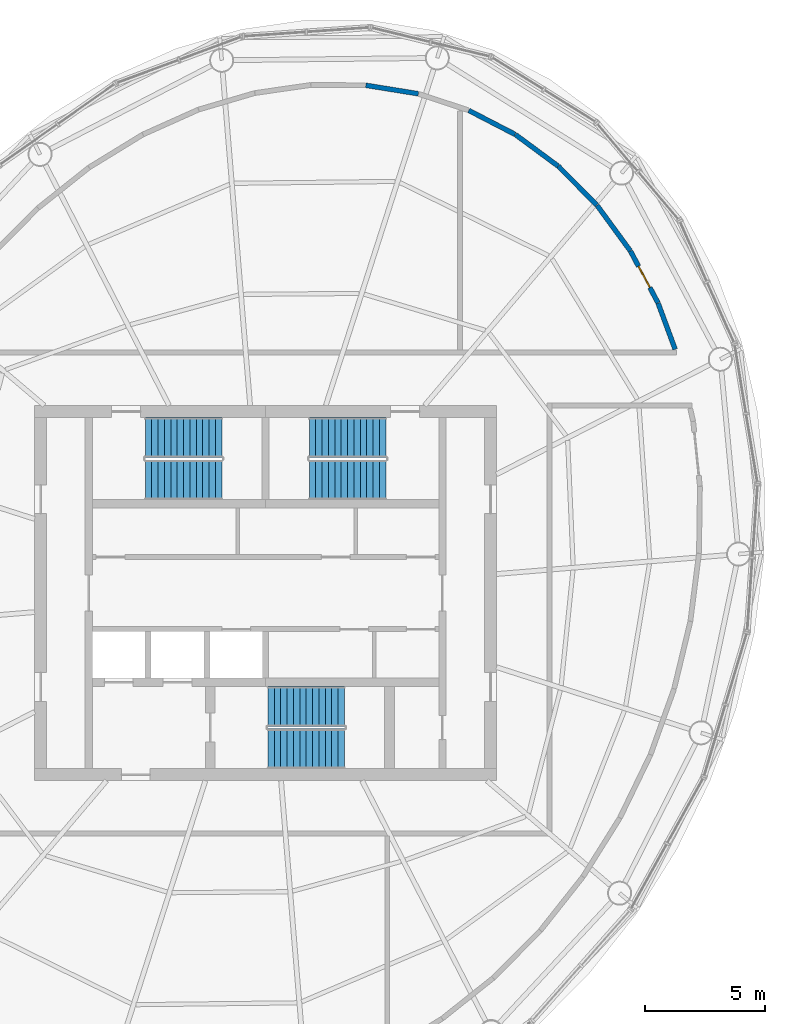
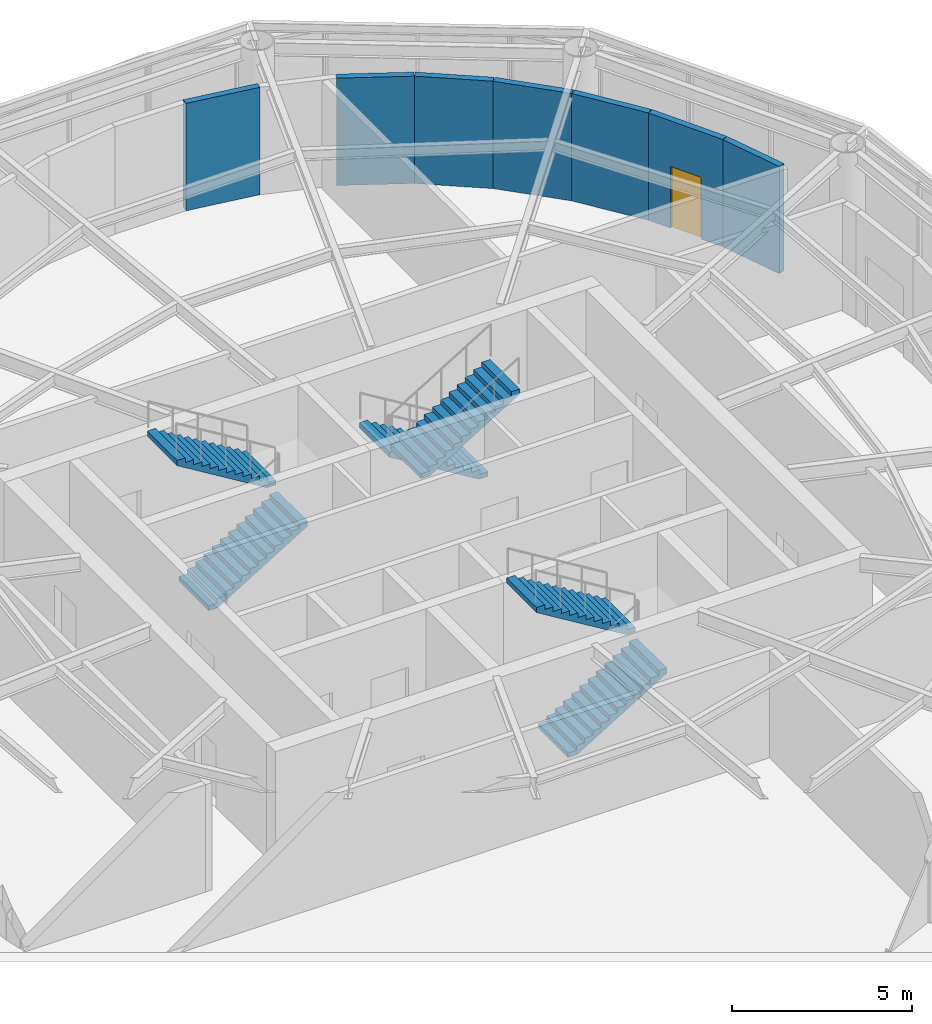
# One storey, part 10 of 11: 7 walls, 6 stair flights, 1 door, 1 opening, 3 elements without a shape of their own.
"""IFC4 building model written with IfcOpenShell, lengths in metres."""

from ifc_helpers import new_model, si_unit, direction, frame, frame_2d, origin, place, context, subcontext, project, spatial, polyline, rectangle, outline, extrude, material, layer, layer_set, type_object, element, fill, aggregate, save


model = new_model("IFC4")

# Units and contexts
model_context = context("Model", 3, precision=1e-05, world=origin(), true_north=direction((0.0, 1.0)))
body_context = subcontext(model_context, "Body", "Model", "MODEL_VIEW")
ifc_project = project(units=[si_unit("LENGTHUNIT", "METRE"), si_unit("AREAUNIT", "SQUARE_METRE"), si_unit("VOLUMEUNIT", "CUBIC_METRE"), si_unit("PLANEANGLEUNIT", "RADIAN"), si_unit("MASSUNIT", "GRAM", prefix="KILO")], contexts=[model_context])

# Site, building, storey
site_placement = place(None, origin())
site = spatial("IfcSite", under=ifc_project, at=site_placement, CompositionType="ELEMENT")
building_placement = place(site_placement, origin())
building = spatial("IfcBuilding", under=site, at=building_placement, Name="Vermilion Reach Broadcast Tower", CompositionType="ELEMENT")
storey_placement = place(building_placement, frame((0.0, 0.0, 317.10009765625)))
storey = spatial("IfcBuildingStorey", under=building, at=storey_placement, Name="L79 CROWN", CompositionType="ELEMENT", Elevation=317.10009765625)

# Wall
ifc_material_1 = material(Name="Gypsum board shaft wall")
ifc_layer = layer(ifc_material_1, 0.199951171875)
ifc_layer_set = layer_set([ifc_layer], Name="Plant room wall 200")
wall_type = type_object("IfcWallType", Name="Plant room wall 200", PredefinedType="PARTITIONING", material=ifc_layer_set)
wall_1_placement = place(storey_placement, frame((7.780029296875, 16.11865234375, 0.0), z_axis=(0.0, 0.0, 1.0), x_axis=(0.590082027637, -0.807343297897, 0.0)))
element("IfcWall", 1, at=wall_1_placement, inside=storey, type_object=wall_type, Name="sp.wall.L79 CROWN.007", PredefinedType="PARTITIONING", context=body_context, shape_type="SweptSolid", body=[
    extrude(rectangle(XDim=2.33837890625, YDim=0.199951171875, at=frame_2d((1.169189453125, 0.0))), origin(), (0.0, 0.0, 1.0), 3.64990234375),
])

# Wall, opening, door
wall_2_placement = place(storey_placement, frame((10.31396484375, 12.065185546875, 0.0), z_axis=(0.0, 0.0, 1.0), x_axis=(-0.469606334902, 0.882875920059, 0.0)))
wall_2 = element("IfcWall", 2, at=wall_2_placement, inside=storey, type_object=wall_type, Name="sp.wall.L79 CROWN.008", PredefinedType="PARTITIONING", context=body_context, shape_type="SweptSolid", body=[
    extrude(rectangle(XDim=2.439697265625, YDim=0.199951171875, at=frame_2d((1.2197265625, 0.0))), origin(), (0.0, 0.0, 1.0), 3.64990234375),
])
opening_placement = place(wall_2_placement, frame((0.719970703125, 0.0, 0.0)))
opening = element("IfcOpeningElement", 3, at=opening_placement, cuts=wall_2, Name="Opening D54", PredefinedType="OPENING", context=body_context, shape_type="SweptSolid", body=[
    extrude(rectangle(XDim=1.0, YDim=2.10009765625, at=frame_2d((0.5, 1.050048828125))), frame((0.0, 0.10986328125, 0.0), z_axis=(0.0, -1.0, 0.0), x_axis=(1.0, 0.0, 0.0)), (0.0, 0.0, 1.0), 0.219970703125),
])
ifc_material_2 = material(Name="Timber and steel door set", Category="steel")
door_type = type_object("IfcDoorType", Name="Fire door 1000x2100", OperationType="NOTDEFINED", PredefinedType="DOOR", material=ifc_material_2)
door_placement = place(opening_placement, origin())
door = element("IfcDoor", 4, at=door_placement, inside=storey, type_object=door_type, Name="sp.door.L79 CROWN.000", OperationType="SINGLE_SWING_LEFT", OverallHeight=2.10009765625, OverallWidth=1.0, PredefinedType="DOOR", context=body_context, shape_type="SweptSolid", body=[
    extrude(rectangle(XDim=1.0, YDim=2.10009765625, at=frame_2d((0.5, 1.050048828125))), frame((0.0, 0.02490234375, 0.0), z_axis=(0.0, -1.0, 0.0), x_axis=(1.0, 0.0, 0.0)), (0.0, 0.0, 1.0), 0.050048828125),
])
fill(opening, door)

# Walls
wall_3_placement = place(storey_placement, frame((10.318603515625, 12.052490234375, 0.0), z_axis=(0.0, 0.0, 1.0), x_axis=(0.346197844841, -0.938161527791, 0.0)))
element("IfcWall", 5, at=wall_3_placement, inside=storey, type_object=wall_type, Name="sp.wall.L79 CROWN.009", PredefinedType="PARTITIONING", context=body_context, shape_type="SweptSolid", body=[
    extrude(rectangle(XDim=2.04443359375, YDim=0.199951171875, at=frame_2d((1.022216796875, 0.0))), origin(), (0.0, 0.0, 1.0), 3.64990234375),
])
wall_4_placement = place(storey_placement, frame((2.450927734375, 20.062744140625, 0.0), z_axis=(0.0, 0.0, 1.0), x_axis=(0.888068415533, -0.45971131086, 0.0)))
element("IfcWall", 6, at=wall_4_placement, inside=storey, type_object=wall_type, Name="sp.wall.L79 CROWN.011", PredefinedType="PARTITIONING", context=body_context, shape_type="SweptSolid", body=[
    extrude(rectangle(XDim=2.16455078125, YDim=0.199951171875, at=frame_2d((1.082275390625, 0.0))), origin(), (0.0, 0.0, 1.0), 3.64990234375),
])
wall_5_placement = place(storey_placement, frame((4.387451171875, 19.060302734375, 0.0), z_axis=(0.0, 0.0, 1.0), x_axis=(0.80443326696, -0.594043027909, 0.0)))
element("IfcWall", 7, at=wall_5_placement, inside=storey, type_object=wall_type, Name="sp.wall.L79 CROWN.012", PredefinedType="PARTITIONING", context=body_context, shape_type="SweptSolid", body=[
    extrude(rectangle(XDim=2.20947265625, YDim=0.199951171875, at=frame_2d((1.104736328125, 0.0))), origin(), (0.0, 0.0, 1.0), 3.64990234375),
])
wall_6_placement = place(storey_placement, frame((6.17724609375, 17.738525390625, 0.0), z_axis=(0.0, 0.0, 1.0), x_axis=(0.703376280453, -0.710817703843, 0.0)))
element("IfcWall", 8, at=wall_6_placement, inside=storey, type_object=wall_type, Name="sp.wall.L79 CROWN.013", PredefinedType="PARTITIONING", context=body_context, shape_type="SweptSolid", body=[
    extrude(rectangle(XDim=2.263671875, YDim=0.199951171875, at=frame_2d((1.1318359375, 0.0))), origin(), (0.0, 0.0, 1.0), 3.64990234375),
])
wall_7_placement = place(storey_placement, frame((-1.830810546875, 21.10888671875, 0.0), z_axis=(0.0, 0.0, 1.0), x_axis=(0.987257926423, -0.159128208423, 0.0)))
element("IfcWall", 9, at=wall_7_placement, inside=storey, type_object=wall_type, Name="sp.wall.L79 CROWN.030", PredefinedType="PARTITIONING", context=body_context, shape_type="SweptSolid", body=[
    extrude(rectangle(XDim=2.209228515625, YDim=0.199951171875, at=frame_2d((1.1044921875, 0.0))), origin(), (0.0, 0.0, 1.0), 3.64990234375),
])

# Stair, stair flights
ifc_material_3 = material(Name="Concrete C40", Category="concrete")
stair_type = type_object("IfcStairType", Name="Exit stair RC 26 risers 162 mm", PredefinedType="HALF_TURN_STAIR", material=ifc_material_3)
placement = place(storey_placement, origin())
stair_1 = element("IfcStair", 10, at=placement, inside=storey, type_object=stair_type, Name="L79 CROWN Exit stair ST1", PredefinedType="HALF_TURN_STAIR")
ifc_material_4 = material(Name="Concrete C40", Category="concrete")
stair_flight_type = type_object("IfcStairFlightType", Name="Exit stair flight RC 13 risers", PredefinedType="STRAIGHT", material=ifc_material_4)
stair_flight_1_placement = place(storey_placement, frame((-11.0, 4.7099609375, 0.0), z_axis=(0.0, 0.0, 1.0), x_axis=(1.0, 0.0, 0.0)))
stair_flight_1 = element("IfcStairFlight", 11, at=stair_flight_1_placement, type_object=stair_flight_type, Name="ST1 flight 1", NumberOfRisers=13, NumberOfTreads=12, PredefinedType="STRAIGHT", RiserHeight=0.161538462, TreadLength=0.265, context=body_context, shape_type="SweptSolid", body=[
    extrude(outline(polyline([(0.0, 0.0), (0.0, 0.16162109375), (0.264892578125, 0.16162109375), (0.264892578125, 0.322998046875), (0.530029296875, 0.322998046875), (0.530029296875, 0.484619140625), (0.794921875, 0.484619140625), (0.794921875, 0.646240234375), (1.06005859375, 0.646240234375), (1.06005859375, 0.8076171875), (1.324951171875, 0.8076171875), (1.324951171875, 0.96923828125), (1.590087890625, 0.96923828125), (1.590087890625, 1.130859375), (1.85498046875, 1.130859375), (1.85498046875, 1.292236328125), (2.1201171875, 1.292236328125), (2.1201171875, 1.453857421875), (2.385009765625, 1.453857421875), (2.385009765625, 1.615478515625), (2.64990234375, 1.615478515625), (2.64990234375, 1.77685546875), (2.9150390625, 1.77685546875), (2.9150390625, 1.9384765625), (3.179931640625, 1.9384765625), (3.179931640625, 2.10009765625), (3.179931640625, 1.762939453125), (0.2880859375, 0.0), (0.0, 0.0)])), frame((0.0, 0.830078125, 0.0), z_axis=(0.0, -1.0, 0.0), x_axis=(1.0, 0.0, 0.0)), (0.0, 0.0, 1.0), 1.659912109375),
])
stair_flight_2_placement = place(storey_placement, frame((-7.820068359375, 6.469970703125, 2.099853515625), z_axis=(0.0, 0.0, 1.0), x_axis=(-1.0, 0.0, 0.0)))
stair_flight_2 = element("IfcStairFlight", 12, at=stair_flight_2_placement, type_object=stair_flight_type, Name="ST1 flight 2", NumberOfRisers=13, NumberOfTreads=12, PredefinedType="STRAIGHT", RiserHeight=0.161538462, TreadLength=0.265, context=body_context, shape_type="SweptSolid", body=[
    extrude(outline(polyline([(0.0, 0.0), (0.0, 0.16162109375), (0.264892578125, 0.16162109375), (0.264892578125, 0.322998046875), (0.530029296875, 0.322998046875), (0.530029296875, 0.484619140625), (0.794921875, 0.484619140625), (0.794921875, 0.646240234375), (1.06005859375, 0.646240234375), (1.06005859375, 0.8076171875), (1.324951171875, 0.8076171875), (1.324951171875, 0.96923828125), (1.590087890625, 0.96923828125), (1.590087890625, 1.130859375), (1.85498046875, 1.130859375), (1.85498046875, 1.292236328125), (2.1201171875, 1.292236328125), (2.1201171875, 1.453857421875), (2.385009765625, 1.453857421875), (2.385009765625, 1.615478515625), (2.64990234375, 1.615478515625), (2.64990234375, 1.77685546875), (2.9150390625, 1.77685546875), (2.9150390625, 1.9384765625), (3.179931640625, 1.9384765625), (3.179931640625, 2.10009765625), (3.179931640625, 1.762939453125), (0.2880859375, 0.0), (0.0, 0.0)])), frame((0.0, 0.830078125, 0.0), z_axis=(0.0, -1.0, 0.0), x_axis=(1.0, 0.0, 0.0)), (0.0, 0.0, 1.0), 1.659912109375),
])
aggregate(stair_1, [stair_flight_1, stair_flight_2])

stair_2 = element("IfcStair", 13, at=placement, inside=storey, type_object=stair_type, Name="L79 CROWN Exit stair ST2", PredefinedType="HALF_TURN_STAIR")
stair_flight_3_placement = place(storey_placement, frame((-1.0, 6.469970703125, 0.0), z_axis=(0.0, 0.0, 1.0), x_axis=(-1.0, 0.0, 0.0)))
stair_flight_3 = element("IfcStairFlight", 14, at=stair_flight_3_placement, type_object=stair_flight_type, Name="ST2 flight 1", NumberOfRisers=13, NumberOfTreads=12, PredefinedType="STRAIGHT", RiserHeight=0.161538462, TreadLength=0.265, context=body_context, shape_type="SweptSolid", body=[
    extrude(outline(polyline([(0.0, 0.0), (0.0, 0.16162109375), (0.264892578125, 0.16162109375), (0.264892578125, 0.322998046875), (0.530029296875, 0.322998046875), (0.530029296875, 0.484619140625), (0.794921875, 0.484619140625), (0.794921875, 0.646240234375), (1.06005859375, 0.646240234375), (1.06005859375, 0.8076171875), (1.324951171875, 0.8076171875), (1.324951171875, 0.96923828125), (1.590087890625, 0.96923828125), (1.590087890625, 1.130859375), (1.85498046875, 1.130859375), (1.85498046875, 1.292236328125), (2.1201171875, 1.292236328125), (2.1201171875, 1.453857421875), (2.385009765625, 1.453857421875), (2.385009765625, 1.615478515625), (2.64990234375, 1.615478515625), (2.64990234375, 1.77685546875), (2.9150390625, 1.77685546875), (2.9150390625, 1.9384765625), (3.179931640625, 1.9384765625), (3.179931640625, 2.10009765625), (3.179931640625, 1.762939453125), (0.2880859375, 0.0), (0.0, 0.0)])), frame((0.0, 0.830078125, 0.0), z_axis=(0.0, -1.0, 0.0), x_axis=(1.0, 0.0, 0.0)), (0.0, 0.0, 1.0), 1.659912109375),
])
stair_flight_4_placement = place(storey_placement, frame((-4.179931640625, 4.7099609375, 2.099853515625), z_axis=(0.0, 0.0, 1.0), x_axis=(1.0, 0.0, 0.0)))
stair_flight_4 = element("IfcStairFlight", 15, at=stair_flight_4_placement, type_object=stair_flight_type, Name="ST2 flight 2", NumberOfRisers=13, NumberOfTreads=12, PredefinedType="STRAIGHT", RiserHeight=0.161538462, TreadLength=0.265, context=body_context, shape_type="SweptSolid", body=[
    extrude(outline(polyline([(0.0, 0.0), (0.0, 0.16162109375), (0.264892578125, 0.16162109375), (0.264892578125, 0.322998046875), (0.530029296875, 0.322998046875), (0.530029296875, 0.484619140625), (0.794921875, 0.484619140625), (0.794921875, 0.646240234375), (1.06005859375, 0.646240234375), (1.06005859375, 0.8076171875), (1.324951171875, 0.8076171875), (1.324951171875, 0.96923828125), (1.590087890625, 0.96923828125), (1.590087890625, 1.130859375), (1.85498046875, 1.130859375), (1.85498046875, 1.292236328125), (2.1201171875, 1.292236328125), (2.1201171875, 1.453857421875), (2.385009765625, 1.453857421875), (2.385009765625, 1.615478515625), (2.64990234375, 1.615478515625), (2.64990234375, 1.77685546875), (2.9150390625, 1.77685546875), (2.9150390625, 1.9384765625), (3.179931640625, 1.9384765625), (3.179931640625, 2.10009765625), (3.179931640625, 1.762939453125), (0.2880859375, 0.0), (0.0, 0.0)])), frame((0.0, 0.830078125, 0.0), z_axis=(0.0, -1.0, 0.0), x_axis=(1.0, 0.0, 0.0)), (0.0, 0.0, 1.0), 1.659912109375),
])
aggregate(stair_2, [stair_flight_3, stair_flight_4])

stair_3 = element("IfcStair", 16, at=placement, inside=storey, type_object=stair_type, Name="L79 CROWN Exit stair ST3", PredefinedType="HALF_TURN_STAIR")
stair_flight_5_placement = place(storey_placement, frame((-5.89990234375, -6.469970703125, 0.0), z_axis=(0.0, 0.0, 1.0), x_axis=(1.0, 0.0, 0.0)))
stair_flight_5 = element("IfcStairFlight", 17, at=stair_flight_5_placement, type_object=stair_flight_type, Name="ST3 flight 1", NumberOfRisers=13, NumberOfTreads=12, PredefinedType="STRAIGHT", RiserHeight=0.161538462, TreadLength=0.265, context=body_context, shape_type="SweptSolid", body=[
    extrude(outline(polyline([(0.0, 0.0), (0.0, 0.16162109375), (0.264892578125, 0.16162109375), (0.264892578125, 0.322998046875), (0.530029296875, 0.322998046875), (0.530029296875, 0.484619140625), (0.794921875, 0.484619140625), (0.794921875, 0.646240234375), (1.06005859375, 0.646240234375), (1.06005859375, 0.8076171875), (1.324951171875, 0.8076171875), (1.324951171875, 0.96923828125), (1.590087890625, 0.96923828125), (1.590087890625, 1.130859375), (1.85498046875, 1.130859375), (1.85498046875, 1.292236328125), (2.1201171875, 1.292236328125), (2.1201171875, 1.453857421875), (2.385009765625, 1.453857421875), (2.385009765625, 1.615478515625), (2.64990234375, 1.615478515625), (2.64990234375, 1.77685546875), (2.9150390625, 1.77685546875), (2.9150390625, 1.9384765625), (3.179931640625, 1.9384765625), (3.179931640625, 2.10009765625), (3.179931640625, 1.762939453125), (0.2880859375, 0.0), (0.0, 0.0)])), frame((0.0, 0.830078125, 0.0), z_axis=(0.0, -1.0, 0.0), x_axis=(1.0, 0.0, 0.0)), (0.0, 0.0, 1.0), 1.659912109375),
])
stair_flight_6_placement = place(storey_placement, frame((-2.719970703125, -4.7099609375, 2.099853515625), z_axis=(0.0, 0.0, 1.0), x_axis=(-1.0, 0.0, 0.0)))
stair_flight_6 = element("IfcStairFlight", 18, at=stair_flight_6_placement, type_object=stair_flight_type, Name="ST3 flight 2", NumberOfRisers=13, NumberOfTreads=12, PredefinedType="STRAIGHT", RiserHeight=0.161538462, TreadLength=0.265, context=body_context, shape_type="SweptSolid", body=[
    extrude(outline(polyline([(0.0, 0.0), (0.0, 0.16162109375), (0.264892578125, 0.16162109375), (0.264892578125, 0.322998046875), (0.530029296875, 0.322998046875), (0.530029296875, 0.484619140625), (0.794921875, 0.484619140625), (0.794921875, 0.646240234375), (1.06005859375, 0.646240234375), (1.06005859375, 0.8076171875), (1.324951171875, 0.8076171875), (1.324951171875, 0.96923828125), (1.590087890625, 0.96923828125), (1.590087890625, 1.130859375), (1.85498046875, 1.130859375), (1.85498046875, 1.292236328125), (2.1201171875, 1.292236328125), (2.1201171875, 1.453857421875), (2.385009765625, 1.453857421875), (2.385009765625, 1.615478515625), (2.64990234375, 1.615478515625), (2.64990234375, 1.77685546875), (2.9150390625, 1.77685546875), (2.9150390625, 1.9384765625), (3.179931640625, 1.9384765625), (3.179931640625, 2.10009765625), (3.179931640625, 1.762939453125), (0.2880859375, 0.0), (0.0, 0.0)])), frame((0.0, 0.830078125, 0.0), z_axis=(0.0, -1.0, 0.0), x_axis=(1.0, 0.0, 0.0)), (0.0, 0.0, 1.0), 1.659912109375),
])
aggregate(stair_3, [stair_flight_5, stair_flight_6])

save(model, "model.ifc")
